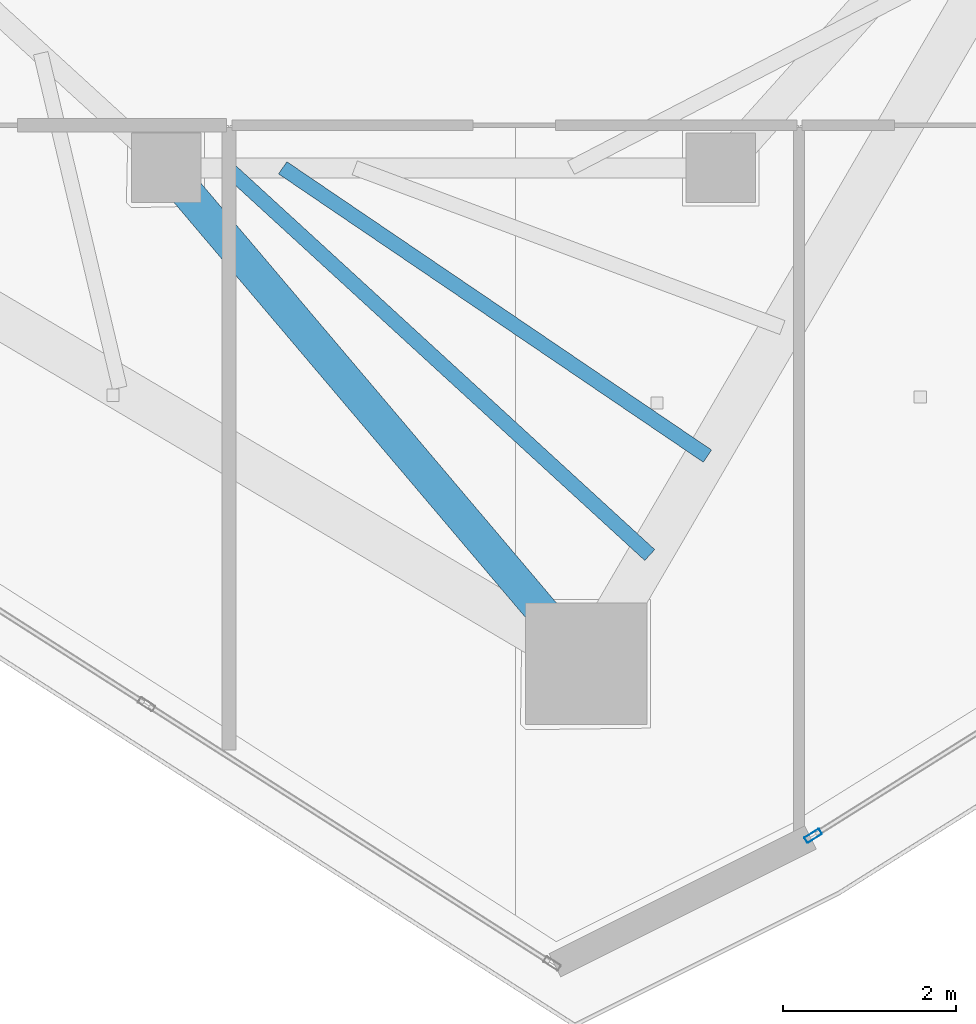
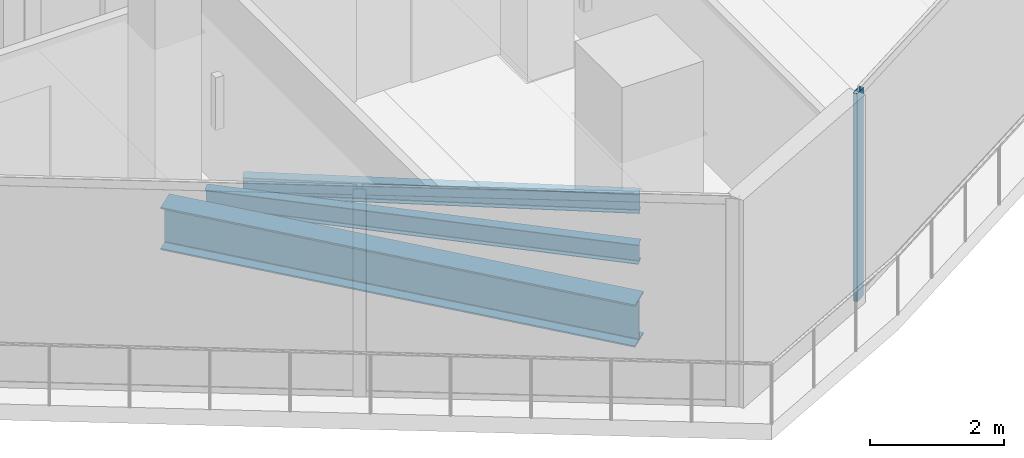
# One storey, part 6 of 26: 3 beams, 1 member, 1 element without a shape of its own.
"""IFC4 building model written with IfcOpenShell, lengths in metres."""

from ifc_helpers import new_model, si_unit, direction, frame, origin, origin_2d, place, context, subcontext, project, spatial, hollow_rectangle, i_section, extrude, material, layer, layer_set, material_profile, profile_set, type_object, element, aggregate, save


model = new_model("IFC4")

# Units and contexts
model_context = context("Model", 3, precision=1e-05, world=origin(), true_north=direction((0.0, 1.0)))
body_context = subcontext(model_context, "Body", "Model", "MODEL_VIEW")
ifc_project = project(units=[si_unit("LENGTHUNIT", "METRE"), si_unit("AREAUNIT", "SQUARE_METRE"), si_unit("VOLUMEUNIT", "CUBIC_METRE"), si_unit("PLANEANGLEUNIT", "RADIAN"), si_unit("MASSUNIT", "GRAM", prefix="KILO")], contexts=[model_context])

# Site, building, storey
site_placement = place(None, origin())
site = spatial("IfcSite", under=ifc_project, at=site_placement, CompositionType="ELEMENT")
building_placement = place(site_placement, origin())
building = spatial("IfcBuilding", under=site, at=building_placement, Name="Qorvath Tower", CompositionType="ELEMENT")
storey_placement = place(building_placement, frame((0.0, 0.0, 322.800048828125)))
storey = spatial("IfcBuildingStorey", under=building, at=storey_placement, Name="L75", CompositionType="ELEMENT", Elevation=322.800048828125)

# Beams
ifc_material_1 = material(Name="Steel ASTM A992 Grade 50", Category="steel")
ifc_material_profile_1 = material_profile(ifc_material_1, i_section(OverallWidth=0.381103515625, OverallDepth=0.77294921875, WebThickness=0.0166015625, FlangeThickness=0.027099609375, FilletRadius=0.01904296875, at=origin_2d()), Name="W30x173")
ifc_profile_set_1 = profile_set([ifc_material_profile_1], Name="Steel ASTM A992 Grade 50")
beam_type_1 = type_object("IfcBeamType", Name="BM-FG3", PredefinedType="BEAM", material=ifc_profile_set_1)
beam_1_placement = place(storey_placement, frame((-23.60009765625, -11.449951171875, -0.676513671875), z_axis=(0.646321389876, -0.763065305848, 0.0), x_axis=(0.763065305848, 0.646321389876, 0.0)))
element("IfcBeam", 1, at=beam_1_placement, inside=storey, type_object=beam_type_1, Name="Radial Floor Girder CC4-MC3 L75", PredefinedType="BEAM", context=body_context, shape_type="SweptSolid", body=[
    extrude(i_section(OverallWidth=0.381103515625, OverallDepth=0.77294921875, WebThickness=0.0166015625, FlangeThickness=0.027099609375, FilletRadius=0.01904296875, at=origin_2d()), origin(), (0.0, 0.0, 1.0), 7.50341796875),
])
ifc_material_2 = material(Name="Steel ASTM A992 Grade 50", Category="steel")
ifc_material_profile_2 = material_profile(ifc_material_2, i_section(OverallWidth=0.1708984375, OverallDepth=0.35107421875, WebThickness=0.0068359375, FlangeThickness=0.009765625, FilletRadius=0.010009765625, at=origin_2d()), Name="W14x30")
ifc_profile_set_2 = profile_set([ifc_material_profile_2], Name="Steel ASTM A992 Grade 50")
beam_type_2 = type_object("IfcBeamType", Name="BM-FJ4", PredefinedType="JOIST", material=ifc_profile_set_2)
beam_2_placement = place(storey_placement, frame((-22.256103515625, -11.449951171875, -0.465576171875), z_axis=(0.827400561462, -0.56161224247, 0.0), x_axis=(0.56161224247, 0.827400561462, 0.0)))
element("IfcBeam", 2, at=beam_2_placement, inside=storey, type_object=beam_type_2, Name="Composite Floor Joist SE6 L75", PredefinedType="JOIST", context=body_context, shape_type="SweptSolid", body=[
    extrude(i_section(OverallWidth=0.1708984375, OverallDepth=0.35107421875, WebThickness=0.0068359375, FlangeThickness=0.009765625, FilletRadius=0.010009765625, at=origin_2d()), origin(), (0.0, 0.0, 1.0), 5.925537109375),
])
beam_3_placement = place(storey_placement, frame((-22.89599609375, -11.449951171875, -0.465576171875), z_axis=(0.737232260457, -0.675639396528, 0.0), x_axis=(0.675639396528, 0.737232260457, 0.0)))
element("IfcBeam", 3, at=beam_3_placement, inside=storey, type_object=beam_type_2, Name="Composite Floor Joist SE7 L75", PredefinedType="JOIST", context=body_context, shape_type="SweptSolid", body=[
    extrude(i_section(OverallWidth=0.1708984375, OverallDepth=0.35107421875, WebThickness=0.0068359375, FlangeThickness=0.009765625, FilletRadius=0.010009765625, at=origin_2d()), origin(), (0.0, 0.0, 1.0), 6.615478515625),
])

# Curtain wall, member
ifc_material_3 = material(Name="Anodised aluminium and triple low-E glass", Category="aluminium")
ifc_layer = layer(ifc_material_3, 0.179931640625)
ifc_layer_set = layer_set([ifc_layer], Name="CW-SYS-4")
curtain_wall_type = type_object("IfcCurtainWallType", Name="CW-SYS-4", PredefinedType="NOTDEFINED", material=ifc_layer_set)
curtain_wall_placement = place(storey_placement, origin())
curtain_wall = element("IfcCurtainWall", 4, at=curtain_wall_placement, inside=storey, type_object=curtain_wall_type, Name="Curtain Wall CW-4 CW-T-L75-4.1", PredefinedType="NOTDEFINED")
ifc_material_4 = material(Name="Anodised aluminium 6063-T6", Category="aluminium")
ifc_material_profile_3 = material_profile(ifc_material_4, hollow_rectangle(XDim=0.074951171875, YDim=0.199951171875, WallThickness=0.00390625, InnerFilletRadius=0.00390625, OuterFilletRadius=0.008056640625, at=origin_2d()), Name="CWM 200x75")
ifc_profile_set_3 = profile_set([ifc_material_profile_3], Name="Anodised aluminium 6063-T6")
member_type = type_object("IfcMemberType", Name="CWM-200", PredefinedType="MULLION", material=ifc_profile_set_3)
member_placement = place(storey_placement, frame((-16.13232421875, -19.160400390625, 0.0), z_axis=(0.0, 0.0, 1.0), x_axis=(-0.531308786661, 0.847178241704, 0.0)))
member = element("IfcMember", 5, at=member_placement, type_object=member_type, Name="CW-4 mullion 1", PredefinedType="MULLION", context=body_context, shape_type="SweptSolid", body=[
    extrude(hollow_rectangle(XDim=0.074951171875, YDim=0.199951171875, WallThickness=0.00390625, InnerFilletRadius=0.00390625, OuterFilletRadius=0.008056640625, at=origin_2d()), origin(), (0.0, 0.0, 1.0), 3.780029296875),
])
aggregate(curtain_wall, [member])

save(model, "model.ifc")
